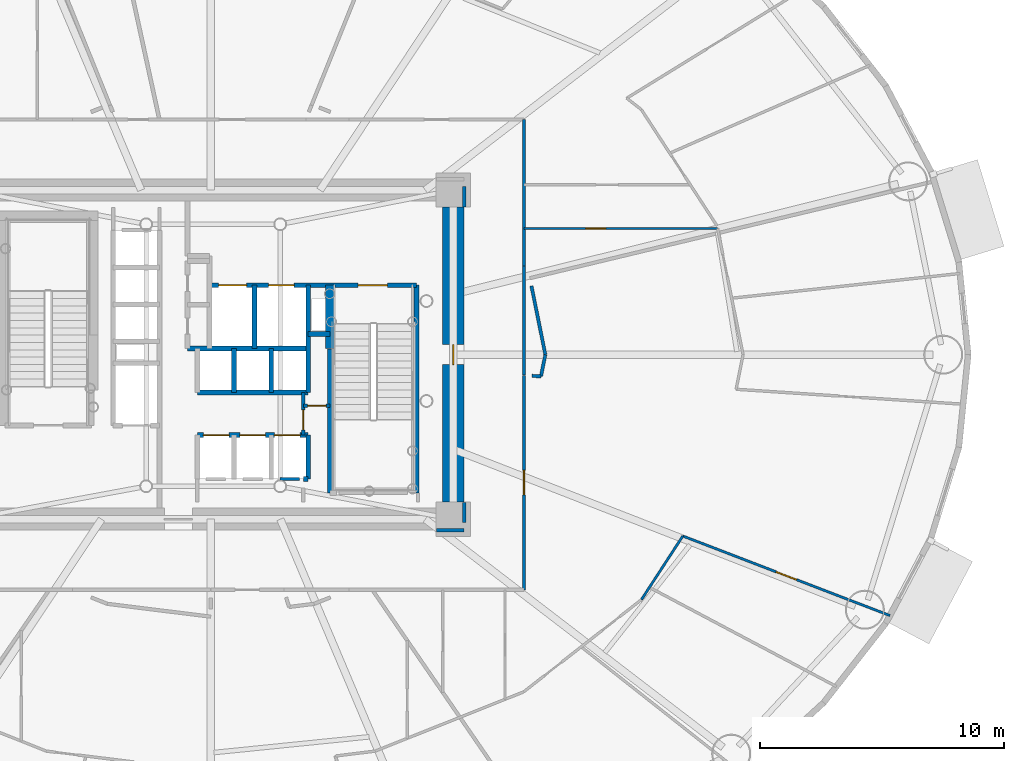
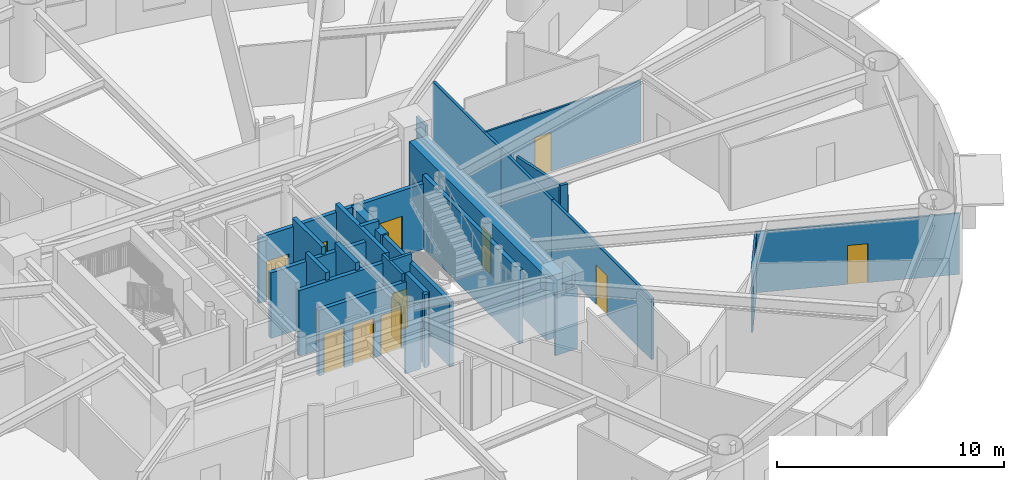
# One storey, part 11 of 21: 30 walls, 12 doors, 12 openings.
"""IFC4 building model written with IfcOpenShell, lengths in metres."""

import ifcopenshell
import ifcopenshell.guid

model = None  # the IFC model being written
_history = None  # IfcOwnerHistory: only IFC2X3 demands one
_inside = {}  # id of a spatial element -> (the spatial element, [elements in it])
_under = {}  # id of a project, library or spatial element -> (it, [spatial elements below it])
_declared = {}  # id of a project -> (the project, [libraries it declares])
_typed = {}  # id of a type object -> (the type object, [elements of that type])
_made_of = {}  # id of a material, layer set ... -> (it, [elements and type objects made of it])


def new_model(schema):
    """Start an empty IFC model of exactly this schema.

    Asked for "IFC4X3", IfcOpenShell would pick the latest addendum, in which some entities
    have other attributes; the version numbers below select the first issue.
    IFC2X3 requires an IfcOwnerHistory on every rooted entity: one is made here for all.
    """
    global model, _history
    if schema == "IFC4X3":
        model = ifcopenshell.file(schema_version=(4, 3, 0, 0))
    else:
        model = ifcopenshell.file(schema=schema)
    _inside.clear()
    _under.clear()
    _declared.clear()
    _typed.clear()
    _made_of.clear()
    _history = None
    if model.schema == "IFC2X3":
        org = make("IfcOrganization", Name="unknown")
        user = make(
            "IfcPersonAndOrganization",
            ThePerson=make("IfcPerson", FamilyName="unknown"),
            TheOrganization=org,
        )
        app = make(
            "IfcApplication",
            ApplicationDeveloper=org,
            Version="unknown",
            ApplicationFullName="unknown",
            ApplicationIdentifier="unknown",
        )
        _history = make(
            "IfcOwnerHistory",
            OwningUser=user,
            OwningApplication=app,
            ChangeAction="ADDED",
            CreationDate=0,
        )
    return model


def make(cls, **values):
    """One entity of the class cls with the attributes given. An attribute that is None is left unset."""
    return model.create_entity(
        cls, **{name: value for name, value in values.items() if value is not None}
    )


def rooted(cls, **values):
    """An entity with a GlobalId (a new one), such as an element, a storey or a relation."""
    return make(cls, GlobalId=ifcopenshell.guid.new(), OwnerHistory=_history, **values)


def si_unit(unit_type, name, prefix=None):
    """IfcSIUnit, for example si_unit("LENGTHUNIT", "METRE", prefix="MILLI")."""
    return make("IfcSIUnit", UnitType=unit_type, Prefix=prefix, Name=name)


def assignment(units):
    """IfcUnitAssignment: the units of a project."""
    return None if units is None else make("IfcUnitAssignment", Units=units)


def point(xyz):
    """IfcCartesianPoint."""
    return None if xyz is None else make("IfcCartesianPoint", Coordinates=xyz)


def direction(xyz):
    """IfcDirection."""
    return None if xyz is None else make("IfcDirection", DirectionRatios=xyz)


def frame(location, z_axis=None, x_axis=None):
    """IfcAxis2Placement3D, a coordinate frame: its origin and axes. An axis left out is left unset."""
    return make(
        "IfcAxis2Placement3D",
        Location=point(location),
        Axis=direction(z_axis),
        RefDirection=direction(x_axis),
    )


def frame_2d(location, x_axis=None):
    """IfcAxis2Placement2D, a coordinate frame in the plane: its origin and x axis."""
    return make(
        "IfcAxis2Placement2D", Location=point(location), RefDirection=direction(x_axis)
    )


def origin():
    """The frame at (0, 0, 0) with its axes left unset."""
    return frame((0.0, 0.0, 0.0))


def origin_2d():
    """The frame at (0, 0) in the plane with its x axis left unset."""
    return frame_2d((0.0, 0.0))


def place(relative_to, where):
    """IfcLocalPlacement: puts the frame where relative to a parent placement (None: the world)."""
    return make(
        "IfcLocalPlacement", PlacementRelTo=relative_to, RelativePlacement=where
    )


def context(
    kind, dimensions, precision=None, world=None, true_north=None, identifier=None
):
    """IfcGeometricRepresentationContext, for example the 3D "Model" context."""
    return make(
        "IfcGeometricRepresentationContext",
        ContextIdentifier=identifier,
        ContextType=kind,
        CoordinateSpaceDimension=dimensions,
        Precision=precision,
        WorldCoordinateSystem=world,
        TrueNorth=true_north,
    )


def subcontext(parent, identifier, kind, view, scale=None):
    """IfcGeometricRepresentationSubContext, for example "Body" below "Model"."""
    return make(
        "IfcGeometricRepresentationSubContext",
        ContextIdentifier=identifier,
        ContextType=kind,
        ParentContext=parent,
        TargetScale=scale,
        TargetView=view,
    )


def project(units=None, contexts=None):
    """IfcProject with its units and contexts."""
    return rooted(
        "IfcProject",
        Name="project",
        RepresentationContexts=contexts,
        UnitsInContext=assignment(units),
    )


def spatial(cls, under=None, at=None, **own):
    """A site, building, storey or space (cls), placed at a placement, below another one or the project."""
    s = rooted(cls, ObjectPlacement=at, **own)
    if under is not None:
        _under.setdefault(under.id(), (under, []))[1].append(s)
    return s


def profile(cls, at=None, kind="AREA", **sizes):
    """A parametric profile (cls). Its sizes go by their IFC names, for example OverallWidth=200.0."""
    return make(cls, ProfileType=kind, Position=at, **sizes)


def rectangle(**sizes):
    """IfcRectangleProfileDef."""
    return profile("IfcRectangleProfileDef", **sizes)


def extrude(swept, where, along, depth):
    """IfcExtrudedAreaSolid: the profile swept, set in the frame where, extruded along a direction by depth."""
    return make(
        "IfcExtrudedAreaSolid",
        SweptArea=swept,
        Position=where,
        ExtrudedDirection=direction(along),
        Depth=depth,
    )


def shape(context_of_items, identifier, shape_type, items):
    """IfcShapeRepresentation: the items that make up one representation, for example the "Body"."""
    return make(
        "IfcShapeRepresentation",
        ContextOfItems=context_of_items,
        RepresentationIdentifier=identifier,
        RepresentationType=shape_type,
        Items=items,
    )


def source(mapping_origin, context_of_items, identifier, shape_type, items):
    """IfcRepresentationMap: a shape defined once, which mapped items show again and again."""
    return make(
        "IfcRepresentationMap",
        MappingOrigin=mapping_origin,
        MappedRepresentation=shape(context_of_items, identifier, shape_type, items),
    )


def transform(
    local_origin,
    x_axis=None,
    y_axis=None,
    z_axis=None,
    scale=None,
    scale2=None,
    scale3=None,
    uniform=True,
):
    """IfcCartesianTransformationOperator3D, or its non-uniform kind. x_axis, y_axis, z_axis: its Axis1, 2, 3."""
    if uniform:
        return make(
            "IfcCartesianTransformationOperator3D",
            Axis1=direction(x_axis),
            Axis2=direction(y_axis),
            LocalOrigin=point(local_origin),
            Scale=scale,
            Axis3=direction(z_axis),
        )
    return make(
        "IfcCartesianTransformationOperator3DnonUniform",
        Axis1=direction(x_axis),
        Axis2=direction(y_axis),
        LocalOrigin=point(local_origin),
        Scale=scale,
        Axis3=direction(z_axis),
        Scale2=scale2,
        Scale3=scale3,
    )


def mapped(mapping_source, mapping_target):
    """IfcMappedItem: shows the shape of a source again, moved by a transform."""
    return make(
        "IfcMappedItem", MappingSource=mapping_source, MappingTarget=mapping_target
    )


def material(Name=None, Category=None):
    """IfcMaterial."""
    return make("IfcMaterial", Name=Name, Category=Category)


def layer(
    of_material, thickness, ventilated=None, Name=None, Category=None, Priority=None
):
    """IfcMaterialLayer: one layer of a wall or slab, of a material (None: an air gap)."""
    return make(
        "IfcMaterialLayer",
        Material=of_material,
        LayerThickness=thickness,
        IsVentilated=ventilated,
        Name=Name,
        Category=Category,
        Priority=Priority,
    )


def layer_set(layers, Name=None):
    """IfcMaterialLayerSet."""
    return make("IfcMaterialLayerSet", MaterialLayers=layers, LayerSetName=Name)


def made_of(thing, what):
    """Note that an element or type object is made of a material, layer set ...; save() writes the relation."""
    if what is not None:
        _made_of.setdefault(what.id(), (what, []))[1].append(thing)
    return thing


def type_object(cls, material=None, **own):
    """A type object (cls), such as IfcWallType, which elements share."""
    return made_of(rooted(cls, **own), material)


def element(
    cls,
    number,
    at=None,
    inside=None,
    cuts=None,
    type_object=None,
    material=None,
    context=None,
    identifier="Body",
    shape_type=None,
    held_by="IfcProductDefinitionShape",
    body=None,
    shapes=None,
    **own,
):
    """One element of the class cls, such as IfcWall. Its Tag is "e" and its number.

    at: its placement. inside: the storey or other place that contains it. cuts: it is an
    opening in that element (IfcRelVoidsElement). A single representation is given by context,
    identifier, shape_type and body (its items); several are given by shapes. held_by: the class
    of the entity that holds the representations. save() writes the other relations.
    """
    e = rooted(cls, Tag="e%d" % number, ObjectPlacement=at, **own)
    if body is not None:
        shapes = [shape(context, identifier, shape_type, body)]
    if shapes is not None:
        e.Representation = make(held_by, Representations=shapes)
    if inside is not None:
        _inside.setdefault(inside.id(), (inside, []))[1].append(e)
    if cuts is not None:
        rooted(
            "IfcRelVoidsElement", RelatingBuildingElement=cuts, RelatedOpeningElement=e
        )
    if type_object is not None:
        _typed.setdefault(type_object.id(), (type_object, []))[1].append(e)
    return made_of(e, material)


def fill(opening, filler):
    """IfcRelFillsElement: the door or window that sits in an opening."""
    return rooted(
        "IfcRelFillsElement",
        RelatingOpeningElement=opening,
        RelatedBuildingElement=filler,
    )


def aggregate(whole, parts):
    """IfcRelAggregates: a whole, such as a stair, and the parts it consists of."""
    return rooted("IfcRelAggregates", RelatingObject=whole, RelatedObjects=parts)


def save(model, path):
    """Write the relations noted so far, then the file.

    IfcRelAggregates (storeys below a building ...), IfcRelContainedInSpatialStructure (elements
    in a storey), IfcRelDefinesByType, IfcRelAssociatesMaterial and IfcRelDeclares: one each for
    every whole, place, type object, material and project.
    """
    for whole, parts in _under.values():
        aggregate(whole, parts)
    for where, things in _inside.values():
        rooted(
            "IfcRelContainedInSpatialStructure",
            RelatedElements=things,
            RelatingStructure=where,
        )
    for kind, things in _typed.values():
        rooted("IfcRelDefinesByType", RelatedObjects=things, RelatingType=kind)
    for what, things in _made_of.values():
        rooted("IfcRelAssociatesMaterial", RelatedObjects=things, RelatingMaterial=what)
    for by, libraries in _declared.values():
        rooted("IfcRelDeclares", RelatingContext=by, RelatedDefinitions=libraries)
    model.write(path)


model = new_model("IFC4")

# Units and contexts
model_context = context("Model", 3, precision=1e-05, world=origin(), true_north=direction((0.0, 1.0)))
body_context = subcontext(model_context, "Body", "Model", "MODEL_VIEW")
ifc_project = project(units=[si_unit("LENGTHUNIT", "METRE"), si_unit("AREAUNIT", "SQUARE_METRE"), si_unit("VOLUMEUNIT", "CUBIC_METRE"), si_unit("PLANEANGLEUNIT", "RADIAN"), si_unit("MASSUNIT", "GRAM", prefix="KILO")], contexts=[model_context])

# Site, building, storey
site_placement = place(None, origin())
site = spatial("IfcSite", under=ifc_project, at=site_placement, CompositionType="ELEMENT")
building_placement = place(site_placement, origin())
building = spatial("IfcBuilding", under=site, at=building_placement, Name="Linh Dai School and Residence Tower", CompositionType="ELEMENT")
storey_placement = place(building_placement, frame((0.0, 0.0, 78.60009765625)))
storey = spatial("IfcBuildingStorey", under=building, at=storey_placement, Name="L18", CompositionType="ELEMENT", Elevation=78.60009765625)

# Wall, opening, door
ifc_material_1 = material(Name="Autoclaved Aerated Concrete Blockwork", Category="masonry")
ifc_layer_1 = layer(ifc_material_1, 0.135009765625)
ifc_layer_set_1 = layer_set([ifc_layer_1], Name="Autoclaved Aerated Concrete Blockwork")
wall_type_1 = type_object("IfcWallType", Name="IW-CORR-135-EI90", PredefinedType="PARTITIONING", material=ifc_layer_set_1)
wall_1_placement = place(storey_placement, frame((39.800048828125, 23.699951171875, 0.0), z_axis=(0.0, 0.0, 1.0), x_axis=(0.0, 1.0, 0.0)))
wall_1 = element("IfcWall", 1, at=wall_1_placement, inside=storey, type_object=wall_type_1, Name="L18 Interior Partition Wall 062", PredefinedType="PARTITIONING", context=body_context, shape_type="SweptSolid", body=[
    extrude(rectangle(XDim=1.75, YDim=0.135009765625, at=frame_2d((0.875, 0.0))), origin(), (0.0, 0.0, 1.0), 3.949951171875),
])
opening_1_placement = place(wall_1_placement, frame((0.2099609375, 0.0, 0.0)))
opening_1 = element("IfcOpeningElement", 2, at=opening_1_placement, cuts=wall_1, Name="Opening D06", PredefinedType="OPENING", context=body_context, shape_type="SweptSolid", body=[
    extrude(rectangle(XDim=0.820068359375, YDim=2.10009765625, at=origin_2d()), frame((0.41015625, 0.07763671875, 1.050048828125), z_axis=(0.0, -1.0, 0.0), x_axis=(1.0, 0.0, 0.0)), (0.0, 0.0, 1.0), 0.155029296875),
])
ifc_material_2 = material(Name="Moisture-Resistant Timber Bathroom Door", Category="wood")
door_type_1 = type_object("IfcDoorType", Name="DR-WET-820x2100", OperationType="NOTDEFINED", PredefinedType="DOOR", material=ifc_material_2)
shared_shape_1 = source(origin(), body_context, "Body", "SweptSolid", [
    extrude(rectangle(XDim=0.820068359375, YDim=2.10009765625, at=origin_2d()), frame((0.41015625, 0.02490234375, 1.050048828125), z_axis=(0.0, -1.0, 0.0), x_axis=(1.0, 0.0, 0.0)), (0.0, 0.0, 1.0), 0.050048828125),
])
door_1_placement = place(opening_1_placement, origin())
door_1 = element("IfcDoor", 3, at=door_1_placement, inside=storey, type_object=door_type_1, Name="L18 SE Metering Closet Door", OperationType="SINGLE_SWING_RIGHT", OverallHeight=2.10009765625, OverallWidth=0.820068359375, PredefinedType="DOOR", context=body_context, shape_type="MappedRepresentation", body=[
    mapped(shared_shape_1, transform((0.0, 0.0, 0.0), x_axis=(1.0, 0.0, 0.0), y_axis=(0.0, 1.0, 0.0), z_axis=(0.0, 0.0, 1.0), scale=1.0)),
])
fill(opening_1, door_1)

wall_2_placement = place(storey_placement, frame((48.85009765625, 17.35009765625, 0.0), z_axis=(0.0, 0.0, 1.0), x_axis=(0.0, 1.0, 0.0)))
wall_2 = element("IfcWall", 4, at=wall_2_placement, inside=storey, type_object=wall_type_1, Name="L18 Interior Partition Wall 083", PredefinedType="PARTITIONING", context=body_context, shape_type="SweptSolid", body=[
    extrude(rectangle(XDim=8.8037109375, YDim=0.135009765625, at=frame_2d((4.40185546875, 0.0))), origin(), (0.0, 0.0, 1.0), 3.284912109375),
])
opening_2_placement = place(wall_2_placement, frame((3.90185546875, 0.0, 0.0)))
opening_2 = element("IfcOpeningElement", 5, at=opening_2_placement, cuts=wall_2, Name="Opening D03", PredefinedType="OPENING", context=body_context, shape_type="SweptSolid", body=[
    extrude(rectangle(XDim=1.0, YDim=2.14990234375, at=origin_2d()), frame((0.5, 0.07763671875, 1.074951171875), z_axis=(0.0, -1.0, 0.0), x_axis=(1.0, 0.0, 0.0)), (0.0, 0.0, 1.0), 0.155029296875),
])
ifc_material_3 = material(Name="Fire-Rated Solid Timber Entrance Door", Category="wood")
door_type_2 = type_object("IfcDoorType", Name="DR-FLAT-1000x2150-FD60S", OperationType="NOTDEFINED", PredefinedType="DOOR", material=ifc_material_3)
shared_shape_2 = source(origin(), body_context, "Body", "SweptSolid", [
    extrude(rectangle(XDim=1.0, YDim=2.14990234375, at=origin_2d()), frame((0.5, 0.02490234375, 1.074951171875), z_axis=(0.0, -1.0, 0.0), x_axis=(1.0, 0.0, 0.0)), (0.0, 0.0, 1.0), 0.050048828125),
])
door_2_placement = place(opening_2_placement, origin())
door_2 = element("IfcDoor", 6, at=door_2_placement, inside=storey, type_object=door_type_2, Name="L18 U1804 Apartment Entrance Door", OperationType="SINGLE_SWING_RIGHT", OverallHeight=2.14990234375, OverallWidth=1.0, PredefinedType="DOOR", context=body_context, shape_type="MappedRepresentation", body=[
    mapped(shared_shape_2, transform((0.0, 0.0, 0.0), x_axis=(1.0, 0.0, 0.0), y_axis=(0.0, 1.0, 0.0), z_axis=(0.0, 0.0, 1.0), scale=1.0)),
])
fill(opening_2, door_2)

# Walls
wall_3_placement = place(storey_placement, frame((48.85009765625, 30.638427734375, 0.0), z_axis=(0.0, 0.0, 1.0), x_axis=(0.0, 1.0, 0.0)))
element("IfcWall", 7, at=wall_3_placement, inside=storey, type_object=wall_type_1, Name="L18 Interior Partition Wall 084", PredefinedType="PARTITIONING", context=body_context, shape_type="SweptSolid", body=[
    extrude(rectangle(XDim=6.011474609375, YDim=0.135009765625, at=frame_2d((3.005859375, 0.0))), origin(), (0.0, 0.0, 1.0), 3.284912109375),
])
wall_4_placement = place(storey_placement, frame((39.639892578125, 21.89990234375, 0.0), z_axis=(0.0, 0.0, 1.0), x_axis=(-1.0, 0.0, 0.0)))
element("IfcWall", 8, at=wall_4_placement, inside=storey, type_object=wall_type_1, Name="L18 Interior Partition Wall 103", PredefinedType="PARTITIONING", context=body_context, shape_type="SweptSolid", body=[
    extrude(rectangle(XDim=0.7998046875, YDim=0.135009765625, at=frame_2d((0.39990234375, 0.0))), origin(), (0.0, 0.0, 1.0), 3.534912109375),
])
wall_5_placement = place(storey_placement, frame((48.85009765625, 30.62841796875, 0.0), z_axis=(0.0, 0.0, 1.0), x_axis=(0.0, -1.0, 0.0)))
element("IfcWall", 9, at=wall_5_placement, inside=storey, type_object=wall_type_1, Name="L18 Interior Partition Wall 112", PredefinedType="PARTITIONING", context=body_context, shape_type="SweptSolid", body=[
    extrude(rectangle(XDim=4.464599609375, YDim=0.135009765625, at=frame_2d((2.232421875, 0.0))), origin(), (0.0, 0.0, 1.0), 3.284912109375),
])
wall_6_placement = place(storey_placement, frame((45.260009765625, 19.800048828125, 0.0), z_axis=(0.0, 0.0, 1.0), x_axis=(1.0, 0.0, 0.0)))
element("IfcWall", 10, at=wall_6_placement, inside=storey, type_object=wall_type_1, Name="L18 Interior Partition Wall 121", PredefinedType="PARTITIONING", context=body_context, shape_type="SweptSolid", body=[
    extrude(rectangle(XDim=1.139892578125, YDim=0.135009765625, at=frame_2d((0.56982421875, 0.0))), origin(), (0.0, 0.0, 1.0), 3.284912109375),
])
for number, where, z_axis, x_axis, name in (
    (11, (46.39990234375, 20.107421875, 0.0), (0.0, 0.0, 1.0), (0.0, 1.0, 0.0), "L18 Interior Partition Wall 122"),
    (12, (46.39990234375, 33.06005859375, 0.0), (0.0, 0.0, 1.0), (0.0, 1.0, 0.0), "L18 Interior Partition Wall 123"),
):
    element("IfcWall", number, at=place(storey_placement, frame(where, z_axis=z_axis, x_axis=x_axis)), inside=storey, type_object=wall_type_1, Name=name, PredefinedType="PARTITIONING", context=body_context, shape_type="SweptSolid", body=[
        extrude(rectangle(XDim=0.83251953125, YDim=0.135009765625, at=frame_2d((0.416259765625, 0.0))), origin(), (0.0, 0.0, 1.0), 3.949951171875),
    ])
wall_7_placement = place(storey_placement, frame((49.177490234375, 26.13232421875, 0.0), z_axis=(0.0, 0.0, 1.0), x_axis=(0.997831511277, -0.065820020533, 0.0)))
element("IfcWall", 13, at=wall_7_placement, inside=storey, type_object=wall_type_1, Name="L18 Interior Partition Wall 135", PredefinedType="PARTITIONING", context=body_context, shape_type="SweptSolid", body=[
    extrude(rectangle(XDim=0.370849609375, YDim=0.135009765625, at=frame_2d((0.185546875, 0.0))), origin(), (0.0, 0.0, 1.0), 3.949951171875),
])
wall_8_placement = place(storey_placement, frame((49.547607421875, 26.10791015625, 0.0), z_axis=(0.0, 0.0, 1.0), x_axis=(0.198230662087, 0.980155398194, 0.0)))
element("IfcWall", 14, at=wall_8_placement, inside=storey, type_object=wall_type_1, Name="L18 Interior Partition Wall 136", PredefinedType="PARTITIONING", context=body_context, shape_type="SweptSolid", body=[
    extrude(rectangle(XDim=0.91015625, YDim=0.135009765625, at=frame_2d((0.455078125, 0.0))), origin(), (0.0, 0.0, 1.0), 3.284912109375),
])
wall_9_placement = place(storey_placement, frame((49.72802734375, 27.0, 0.0), z_axis=(0.0, 0.0, 1.0), x_axis=(-0.19828576171, 0.980144253007, 0.0)))
element("IfcWall", 15, at=wall_9_placement, inside=storey, type_object=wall_type_1, Name="L18 Interior Partition Wall 137", PredefinedType="PARTITIONING", context=body_context, shape_type="SweptSolid", body=[
    extrude(rectangle(XDim=2.87744140625, YDim=0.135009765625, at=frame_2d((1.438720703125, 0.0))), origin(), (0.0, 0.0, 1.0), 3.284912109375),
])

# Wall, opening, door
ifc_layer_2 = layer(ifc_material_1, 0.14990234375)
ifc_layer_set_2 = layer_set([ifc_layer_2], Name="Autoclaved Aerated Concrete Blockwork")
wall_type_2 = type_object("IfcWallType", Name="IW-SCH-150-EI60", PredefinedType="PARTITIONING", material=ifc_layer_set_2)
wall_10_placement = place(storey_placement, frame((39.800048828125, 24.89990234375, 0.0), z_axis=(0.0, 0.0, 1.0), x_axis=(1.0, 0.0, 0.0)))
wall_10 = element("IfcWall", 16, at=wall_10_placement, inside=storey, type_object=wall_type_2, Name="L18 Interior Partition Wall 063", PredefinedType="PARTITIONING", context=body_context, shape_type="SweptSolid", body=[
    extrude(rectangle(XDim=1.099853515625, YDim=0.14990234375, at=frame_2d((0.5498046875, 0.0))), origin(), (0.0, 0.0, 1.0), 3.949951171875),
])
opening_3_placement = place(wall_10_placement, frame((0.169921875, 0.0, 0.0)))
opening_3 = element("IfcOpeningElement", 17, at=opening_3_placement, cuts=wall_10, Name="Opening D08", PredefinedType="OPENING", context=body_context, shape_type="SweptSolid", body=[
    extrude(rectangle(XDim=0.760009765625, YDim=2.10009765625, at=origin_2d()), frame((0.3798828125, 0.0849609375, 1.050048828125), z_axis=(0.0, -1.0, 0.0), x_axis=(1.0, 0.0, 0.0)), (0.0, 0.0, 1.0), 0.169921875),
])
ifc_material_4 = material(Name="Engineered Timber Closet and Study Door", Category="wood")
door_type_3 = type_object("IfcDoorType", Name="DR-CMP-760x2100", OperationType="NOTDEFINED", PredefinedType="DOOR", material=ifc_material_4)
shared_shape_3 = source(origin(), body_context, "Body", "SweptSolid", [
    extrude(rectangle(XDim=0.760009765625, YDim=2.10009765625, at=origin_2d()), frame((0.3798828125, 0.02490234375, 1.050048828125), z_axis=(0.0, -1.0, 0.0), x_axis=(1.0, 0.0, 0.0)), (0.0, 0.0, 1.0), 0.050048828125),
])
door_3_placement = place(opening_3_placement, origin())
door_3 = element("IfcDoor", 18, at=door_3_placement, inside=storey, type_object=door_type_3, Name="L18 NE Cleaners Store Door", OperationType="SINGLE_SWING_LEFT", OverallHeight=2.10009765625, OverallWidth=0.760009765625, PredefinedType="DOOR", context=body_context, shape_type="MappedRepresentation", body=[
    mapped(shared_shape_3, transform((0.0, 0.0, 0.0), x_axis=(1.0, 0.0, 0.0), y_axis=(0.0, 1.0, 0.0), z_axis=(0.0, 0.0, 1.0), scale=1.0)),
])
fill(opening_3, door_3)

# Wall
ifc_material_5 = material(Name="Concrete B45 (C35/45)", Category="concrete")
ifc_layer_3 = layer(ifc_material_5, 0.199951171875)
ifc_layer_set_3 = layer_set([ifc_layer_3], Name="Concrete B45 (C35/45)")
wall_type_3 = type_object("IfcWallType", Name="IW-SHAFT-200-EI120", PredefinedType="PARTITIONING", material=ifc_layer_set_3)
wall_11_placement = place(storey_placement, frame((35.050048828125, 27.25, 0.0), z_axis=(0.0, 0.0, 1.0), x_axis=(1.0, 0.0, 0.0)))
element("IfcWall", 19, at=wall_11_placement, inside=storey, type_object=wall_type_3, Name="L18 Interior Partition Wall 043", PredefinedType="PARTITIONING", context=body_context, shape_type="SweptSolid", body=[
    extrude(rectangle(XDim=4.949951171875, YDim=0.199951171875, at=frame_2d((2.47509765625, 0.0))), origin(), (0.0, 0.0, 1.0), 3.534912109375),
])

# Wall, openings, doors
wall_12_placement = place(storey_placement, frame((35.449951171875, 23.699951171875, 0.0), z_axis=(0.0, 0.0, 1.0), x_axis=(1.0, 0.0, 0.0)))
wall_12 = element("IfcWall", 20, at=wall_12_placement, inside=storey, type_object=wall_type_3, Name="L18 Interior Partition Wall 049", PredefinedType="PARTITIONING", context=body_context, shape_type="SweptSolid", body=[
    extrude(rectangle(XDim=4.550048828125, YDim=0.199951171875, at=frame_2d((2.27490234375, 0.0))), origin(), (0.0, 0.0, 1.0), 3.534912109375),
])
opening_4_placement = place(wall_12_placement, frame((0.25, 0.0, 0.0)))
opening_4 = element("IfcOpeningElement", 21, at=opening_4_placement, cuts=wall_12, Name="Opening LD-PL1", PredefinedType="OPENING", context=body_context, shape_type="SweptSolid", body=[
    extrude(rectangle(XDim=1.050048828125, YDim=2.14990234375, at=origin_2d()), frame((0.52490234375, 0.10986328125, 1.074951171875), z_axis=(0.0, -1.0, 0.0), x_axis=(1.0, 0.0, 0.0)), (0.0, 0.0, 1.0), 0.219970703125),
])
opening_5_placement = place(wall_12_placement, frame((1.7451171875, 0.0, 0.0)))
opening_5 = element("IfcOpeningElement", 22, at=opening_5_placement, cuts=wall_12, Name="Opening LD-PL2", PredefinedType="OPENING", context=body_context, shape_type="SweptSolid", body=[
    extrude(rectangle(XDim=1.050048828125, YDim=2.14990234375, at=origin_2d()), frame((0.52490234375, 0.10986328125, 1.074951171875), z_axis=(0.0, -1.0, 0.0), x_axis=(1.0, 0.0, 0.0)), (0.0, 0.0, 1.0), 0.219970703125),
])
opening_6_placement = place(wall_12_placement, frame((3.1650390625, 0.0, 0.0)))
opening_6 = element("IfcOpeningElement", 23, at=opening_6_placement, cuts=wall_12, Name="Opening LD-PL3", PredefinedType="OPENING", context=body_context, shape_type="SweptSolid", body=[
    extrude(rectangle(XDim=1.050048828125, YDim=2.14990234375, at=origin_2d()), frame((0.52490234375, 0.10986328125, 1.074951171875), z_axis=(0.0, -1.0, 0.0), x_axis=(1.0, 0.0, 0.0)), (0.0, 0.0, 1.0), 0.219970703125),
])
ifc_material_6 = material(Name="Brushed Stainless Steel Lift Landing Door", Category="steel")
door_type_4 = type_object("IfcDoorType", Name="DR-LD-PASS-1050x2150", OperationType="DOUBLE_DOOR_SLIDING", PredefinedType="USERDEFINED", material=ifc_material_6)
shared_shape_4 = source(origin(), body_context, "Body", "SweptSolid", [
    extrude(rectangle(XDim=1.050048828125, YDim=2.14990234375, at=origin_2d()), frame((0.52490234375, 0.02490234375, 1.074951171875), z_axis=(0.0, -1.0, 0.0), x_axis=(1.0, 0.0, 0.0)), (0.0, 0.0, 1.0), 0.050048828125),
])
door_4_placement = place(opening_4_placement, origin())
door_4 = element("IfcDoor", 24, at=door_4_placement, inside=storey, type_object=door_type_4, Name="L18 Lift PL1 Sliding Landing Door", ObjectType="LANDING DOOR", OperationType="DOUBLE_DOOR_SLIDING", OverallHeight=2.14990234375, OverallWidth=1.050048828125, PredefinedType="USERDEFINED", context=body_context, shape_type="MappedRepresentation", body=[
    mapped(shared_shape_4, transform((0.0, 0.0, 0.0), x_axis=(1.0, 0.0, 0.0), y_axis=(0.0, 1.0, 0.0), z_axis=(0.0, 0.0, 1.0), scale=1.0)),
])
fill(opening_4, door_4)
door_5_placement = place(opening_5_placement, origin())
door_5 = element("IfcDoor", 25, at=door_5_placement, inside=storey, type_object=door_type_4, Name="L18 Lift PL2 Sliding Landing Door", ObjectType="LANDING DOOR", OperationType="DOUBLE_DOOR_SLIDING", OverallHeight=2.14990234375, OverallWidth=1.050048828125, PredefinedType="USERDEFINED", context=body_context, shape_type="MappedRepresentation", body=[
    mapped(shared_shape_4, transform((0.0, 0.0, 0.0), x_axis=(1.0, 0.0, 0.0), y_axis=(0.0, 1.0, 0.0), z_axis=(0.0, 0.0, 1.0), scale=1.0)),
])
fill(opening_5, door_5)
door_6_placement = place(opening_6_placement, origin())
door_6 = element("IfcDoor", 26, at=door_6_placement, inside=storey, type_object=door_type_4, Name="L18 Lift PL3 Sliding Landing Door", ObjectType="LANDING DOOR", OperationType="DOUBLE_DOOR_SLIDING", OverallHeight=2.14990234375, OverallWidth=1.050048828125, PredefinedType="USERDEFINED", context=body_context, shape_type="MappedRepresentation", body=[
    mapped(shared_shape_4, transform((0.0, 0.0, 0.0), x_axis=(1.0, 0.0, 0.0), y_axis=(0.0, 1.0, 0.0), z_axis=(0.0, 0.0, 1.0), scale=1.0)),
])
fill(opening_6, door_6)

# Wall
wall_13_placement = place(storey_placement, frame((35.449951171875, 25.449951171875, 0.0), z_axis=(0.0, 0.0, 1.0), x_axis=(1.0, 0.0, 0.0)))
element("IfcWall", 27, at=wall_13_placement, inside=storey, type_object=wall_type_3, Name="L18 Interior Partition Wall 051", PredefinedType="PARTITIONING", context=body_context, shape_type="SweptSolid", body=[
    extrude(rectangle(XDim=4.550048828125, YDim=0.199951171875, at=frame_2d((2.27490234375, 0.0))), origin(), (0.0, 0.0, 1.0), 3.534912109375),
])

# Wall, openings, doors
wall_14_placement = place(storey_placement, frame((35.949951171875, 29.85009765625, 0.0), z_axis=(0.0, 0.0, 1.0), x_axis=(1.0, 0.0, 0.0)))
wall_14 = element("IfcWall", 28, at=wall_14_placement, inside=storey, type_object=wall_type_3, Name="L18 Interior Partition Wall 053", PredefinedType="PARTITIONING", context=body_context, shape_type="SweptSolid", body=[
    extrude(rectangle(XDim=8.489990234375, YDim=0.199951171875, at=frame_2d((4.2451171875, 0.0))), origin(), (0.0, 0.0, 1.0), 3.534912109375),
])
opening_7_placement = place(wall_14_placement, frame((6.10009765625, 0.0, 0.0)))
opening_7 = element("IfcOpeningElement", 29, at=opening_7_placement, cuts=wall_14, Name="Opening D01", PredefinedType="OPENING", context=body_context, shape_type="SweptSolid", body=[
    extrude(rectangle(XDim=1.199951171875, YDim=2.14990234375, at=origin_2d()), frame((0.60009765625, 0.10986328125, 1.074951171875), z_axis=(0.0, -1.0, 0.0), x_axis=(1.0, 0.0, 0.0)), (0.0, 0.0, 1.0), 0.219970703125),
])
opening_8_placement = place(wall_14_placement, frame((0.3701171875, 0.0, 0.0)))
opening_8 = element("IfcOpeningElement", 30, at=opening_8_placement, cuts=wall_14, Name="Opening LD-FF1", PredefinedType="OPENING", context=body_context, shape_type="SweptSolid", body=[
    extrude(rectangle(XDim=1.14990234375, YDim=2.14990234375, at=origin_2d()), frame((0.574951171875, 0.10986328125, 1.074951171875), z_axis=(0.0, -1.0, 0.0), x_axis=(1.0, 0.0, 0.0)), (0.0, 0.0, 1.0), 0.219970703125),
])
opening_9_placement = place(wall_14_placement, frame((2.425048828125, 0.0, 0.0)))
opening_9 = element("IfcOpeningElement", 31, at=opening_9_placement, cuts=wall_14, Name="Opening LD-SV1", PredefinedType="OPENING", context=body_context, shape_type="SweptSolid", body=[
    extrude(rectangle(XDim=1.050048828125, YDim=2.14990234375, at=origin_2d()), frame((0.52490234375, 0.10986328125, 1.074951171875), z_axis=(0.0, -1.0, 0.0), x_axis=(1.0, 0.0, 0.0)), (0.0, 0.0, 1.0), 0.219970703125),
])
ifc_material_7 = material(Name="Fire-Rated Steel Door Leaf", Category="steel")
door_type_5 = type_object("IfcDoorType", Name="DR-STAIR-1200x2150-FD90S", OperationType="NOTDEFINED", PredefinedType="DOOR", material=ifc_material_7)
shared_shape_5 = source(origin(), body_context, "Body", "SweptSolid", [
    extrude(rectangle(XDim=1.199951171875, YDim=2.14990234375, at=origin_2d()), frame((0.60009765625, 0.02490234375, 1.074951171875), z_axis=(0.0, -1.0, 0.0), x_axis=(1.0, 0.0, 0.0)), (0.0, 0.0, 1.0), 0.050048828125),
])
door_7_placement = place(opening_7_placement, origin())
door_7 = element("IfcDoor", 32, at=door_7_placement, inside=storey, type_object=door_type_5, Name="L18 Core Smokeproof Exit Stair ST2 Door", OperationType="SINGLE_SWING_RIGHT", OverallHeight=2.14990234375, OverallWidth=1.199951171875, PredefinedType="DOOR", context=body_context, shape_type="MappedRepresentation", body=[
    mapped(shared_shape_5, transform((0.0, 0.0, 0.0), x_axis=(1.0, 0.0, 0.0), y_axis=(0.0, 1.0, 0.0), z_axis=(0.0, 0.0, 1.0), scale=1.0)),
])
fill(opening_7, door_7)
ifc_material_8 = material(Name="Fire-Rated Stainless Steel Firefighting Lift Door", Category="steel")
door_type_6 = type_object("IfcDoorType", Name="DR-LD-FF-1150x2150-FD120", OperationType="DOUBLE_DOOR_SLIDING", PredefinedType="USERDEFINED", material=ifc_material_8)
shared_shape_6 = source(origin(), body_context, "Body", "SweptSolid", [
    extrude(rectangle(XDim=1.14990234375, YDim=2.14990234375, at=origin_2d()), frame((0.574951171875, 0.02490234375, 1.074951171875), z_axis=(0.0, -1.0, 0.0), x_axis=(1.0, 0.0, 0.0)), (0.0, 0.0, 1.0), 0.050048828125),
])
door_8_placement = place(opening_8_placement, origin())
door_8 = element("IfcDoor", 33, at=door_8_placement, inside=storey, type_object=door_type_6, Name="L18 Lift FF1 Sliding Landing Door", ObjectType="LANDING DOOR", OperationType="DOUBLE_DOOR_SLIDING", OverallHeight=2.14990234375, OverallWidth=1.14990234375, PredefinedType="USERDEFINED", context=body_context, shape_type="MappedRepresentation", body=[
    mapped(shared_shape_6, transform((0.0, 0.0, 0.0), x_axis=(1.0, 0.0, 0.0), y_axis=(0.0, 1.0, 0.0), z_axis=(0.0, 0.0, 1.0), scale=1.0)),
])
fill(opening_8, door_8)
door_9_placement = place(opening_9_placement, origin())
door_9 = element("IfcDoor", 34, at=door_9_placement, inside=storey, type_object=door_type_4, Name="L18 Lift SV1 Sliding Landing Door", ObjectType="LANDING DOOR", OperationType="DOUBLE_DOOR_SLIDING", OverallHeight=2.14990234375, OverallWidth=1.050048828125, PredefinedType="USERDEFINED", context=body_context, shape_type="MappedRepresentation", body=[
    mapped(shared_shape_4, transform((0.0, 0.0, 0.0), x_axis=(1.0, 0.0, 0.0), y_axis=(0.0, 1.0, 0.0), z_axis=(0.0, 0.0, 1.0), scale=1.0)),
])
fill(opening_9, door_9)

# Walls
wall_15_placement = place(storey_placement, frame((36.9599609375, 25.449951171875, 0.0), z_axis=(0.0, 0.0, 1.0), x_axis=(0.0, 1.0, 0.0)))
element("IfcWall", 35, at=wall_15_placement, inside=storey, type_object=wall_type_3, Name="L18 Interior Partition Wall 057", PredefinedType="PARTITIONING", context=body_context, shape_type="SweptSolid", body=[
    extrude(rectangle(XDim=1.800048828125, YDim=0.199951171875, at=frame_2d((0.89990234375, 0.0))), origin(), (0.0, 0.0, 1.0), 3.949951171875),
])
wall_16_placement = place(storey_placement, frame((37.800048828125, 27.25, 0.0), z_axis=(0.0, 0.0, 1.0), x_axis=(0.0, 1.0, 0.0)))
element("IfcWall", 36, at=wall_16_placement, inside=storey, type_object=wall_type_3, Name="L18 Interior Partition Wall 058", PredefinedType="PARTITIONING", context=body_context, shape_type="SweptSolid", body=[
    extrude(rectangle(XDim=2.60009765625, YDim=0.199951171875, at=frame_2d((1.300048828125, 0.0))), origin(), (0.0, 0.0, 1.0), 3.949951171875),
])
wall_17_placement = place(storey_placement, frame((38.47998046875, 25.449951171875, 0.0), z_axis=(0.0, 0.0, 1.0), x_axis=(0.0, 1.0, 0.0)))
element("IfcWall", 37, at=wall_17_placement, inside=storey, type_object=wall_type_3, Name="L18 Interior Partition Wall 060", PredefinedType="PARTITIONING", context=body_context, shape_type="SweptSolid", body=[
    extrude(rectangle(XDim=1.800048828125, YDim=0.199951171875, at=frame_2d((0.89990234375, 0.0))), origin(), (0.0, 0.0, 1.0), 3.949951171875),
])
wall_18_placement = place(storey_placement, frame((39.800048828125, 21.89990234375, 0.0), z_axis=(0.0, 0.0, 1.0), x_axis=(1.0, 0.0, 0.0)))
element("IfcWall", 38, at=wall_18_placement, inside=storey, type_object=wall_type_3, Name="L18 Interior Partition Wall 061", PredefinedType="PARTITIONING", context=body_context, shape_type="SweptSolid", body=[
    extrude(rectangle(XDim=0.199951171875, YDim=0.199951171875, at=frame_2d((0.10009765625, 0.0))), origin(), (0.0, 0.0, 1.0), 3.949951171875),
])
wall_19_placement = place(storey_placement, frame((40.0, 21.89990234375, 0.0), z_axis=(0.0, 0.0, 1.0), x_axis=(0.0, 1.0, 0.0)))
element("IfcWall", 39, at=wall_19_placement, inside=storey, type_object=wall_type_3, Name="L18 Interior Partition Wall 064", PredefinedType="PARTITIONING", context=body_context, shape_type="SweptSolid", body=[
    extrude(rectangle(XDim=1.800048828125, YDim=0.199951171875, at=frame_2d((0.89990234375, 0.0))), origin(), (0.0, 0.0, 1.0), 3.949951171875),
])
wall_20_placement = place(storey_placement, frame((40.0, 25.449951171875, 0.0), z_axis=(0.0, 0.0, 1.0), x_axis=(0.0, 1.0, 0.0)))
element("IfcWall", 40, at=wall_20_placement, inside=storey, type_object=wall_type_3, Name="L18 Interior Partition Wall 065", PredefinedType="PARTITIONING", context=body_context, shape_type="SweptSolid", body=[
    extrude(rectangle(XDim=4.400146484375, YDim=0.199951171875, at=frame_2d((2.2001953125, 0.0))), origin(), (0.0, 0.0, 1.0), 3.949951171875),
])
wall_21_placement = place(storey_placement, frame((40.0, 27.85009765625, 0.0), z_axis=(0.0, 0.0, 1.0), x_axis=(1.0, 0.0, 0.0)))
element("IfcWall", 41, at=wall_21_placement, inside=storey, type_object=wall_type_3, Name="L18 Interior Partition Wall 066", PredefinedType="PARTITIONING", context=body_context, shape_type="SweptSolid", body=[
    extrude(rectangle(XDim=0.89990234375, YDim=0.199951171875, at=frame_2d((0.449951171875, 0.0))), origin(), (0.0, 0.0, 1.0), 3.949951171875),
])
wall_22_placement = place(storey_placement, frame((40.89990234375, 21.330078125, 0.0), z_axis=(0.0, 0.0, 1.0), x_axis=(0.0, 1.0, 0.0)))
element("IfcWall", 42, at=wall_22_placement, inside=storey, type_object=wall_type_3, Name="L18 Interior Partition Wall 068", PredefinedType="PARTITIONING", context=body_context, shape_type="SweptSolid", body=[
    extrude(rectangle(XDim=5.909912109375, YDim=0.199951171875, at=frame_2d((2.955078125, 0.0))), origin(), (0.0, 0.0, 1.0), 3.48486328125),
])
wall_23_placement = place(storey_placement, frame((44.43994140625, 21.330078125, 0.0), z_axis=(0.0, 0.0, 1.0), x_axis=(0.0, 1.0, 0.0)))
element("IfcWall", 43, at=wall_23_placement, inside=storey, type_object=wall_type_3, Name="L18 Interior Partition Wall 078", PredefinedType="PARTITIONING", context=body_context, shape_type="SweptSolid", body=[
    extrude(rectangle(XDim=8.52001953125, YDim=0.199951171875, at=frame_2d((4.260009765625, 0.0))), origin(), (0.0, 0.0, 1.0), 3.949951171875),
])

# Wall, opening, door
ifc_material_9 = material(Name="Gypsum Plasterboard Acoustic Stud Partition", Category="masonry")
ifc_layer_4 = layer(ifc_material_9, 0.10009765625)
ifc_layer_set_4 = layer_set([ifc_layer_4], Name="Gypsum Plasterboard Acoustic Stud Partition")
wall_type_4 = type_object("IfcWallType", Name="IW-UNIT-100", PredefinedType="PARTITIONING", material=ifc_layer_set_4)
wall_24_placement = place(storey_placement, frame((48.85009765625, 32.177490234375, 0.0), z_axis=(0.0, 0.0, 1.0), x_axis=(1.0, 0.0, 0.0)))
wall_24 = element("IfcWall", 44, at=wall_24_placement, inside=storey, type_object=wall_type_4, Name="L18 Interior Partition Wall 085", PredefinedType="PARTITIONING", context=body_context, shape_type="SweptSolid", body=[
    extrude(rectangle(XDim=7.942626953125, YDim=0.10009765625, at=frame_2d((3.97119140625, 0.0))), origin(), (0.0, 0.0, 1.0), 3.284912109375),
])
opening_10_placement = place(wall_24_placement, frame((2.52880859375, 0.0, 0.0)))
opening_10 = element("IfcOpeningElement", 45, at=opening_10_placement, cuts=wall_24, Name="Opening D06", PredefinedType="OPENING", context=body_context, shape_type="SweptSolid", body=[
    extrude(rectangle(XDim=0.820068359375, YDim=2.10009765625, at=origin_2d()), frame((0.41015625, 0.06005859375, 1.050048828125), z_axis=(0.0, -1.0, 0.0), x_axis=(1.0, 0.0, 0.0)), (0.0, 0.0, 1.0), 0.1201171875),
])
door_10_placement = place(opening_10_placement, origin())
door_10 = element("IfcDoor", 46, at=door_10_placement, inside=storey, type_object=door_type_1, Name="L18 Apartment U1805 Bathroom 1 Door", OperationType="SINGLE_SWING_LEFT", OverallHeight=2.10009765625, OverallWidth=0.820068359375, PredefinedType="DOOR", context=body_context, shape_type="MappedRepresentation", body=[
    mapped(shared_shape_1, transform((0.0, 0.0, 0.0), x_axis=(1.0, 0.0, 0.0), y_axis=(0.0, 1.0, 0.0), z_axis=(0.0, 0.0, 1.0), scale=1.0)),
])
fill(opening_10, door_10)

# Wall
wall_25_placement = place(storey_placement, frame((53.6689453125, 16.9482421875, 0.0), z_axis=(0.0, 0.0, 1.0), x_axis=(0.54539036232, 0.838182171541, 0.0)))
element("IfcWall", 47, at=wall_25_placement, inside=storey, type_object=wall_type_4, Name="L18 Interior Partition Wall 091", PredefinedType="PARTITIONING", context=body_context, shape_type="SweptSolid", body=[
    extrude(rectangle(XDim=3.115966796875, YDim=0.10009765625, at=frame_2d((1.55810546875, 0.0))), origin(), (0.0, 0.0, 1.0), 3.284912109375),
])

# Wall, opening, door
wall_26_placement = place(storey_placement, frame((55.3681640625, 19.559814453125, 0.0), z_axis=(0.0, 0.0, 1.0), x_axis=(0.933496170306, -0.358587367351, 0.0)))
wall_26 = element("IfcWall", 48, at=wall_26_placement, inside=storey, type_object=wall_type_4, Name="L18 Interior Partition Wall 095", PredefinedType="PARTITIONING", context=body_context, shape_type="SweptSolid", body=[
    extrude(rectangle(XDim=9.10546875, YDim=0.10009765625, at=frame_2d((4.552734375, 0.0))), origin(), (0.0, 0.0, 1.0), 3.284912109375),
])
opening_11_placement = place(wall_26_placement, frame((4.102783203125, 0.0, 0.0)))
opening_11 = element("IfcOpeningElement", 49, at=opening_11_placement, cuts=wall_26, Name="Opening D05", PredefinedType="OPENING", context=body_context, shape_type="SweptSolid", body=[
    extrude(rectangle(XDim=0.89990234375, YDim=2.10009765625, at=origin_2d()), frame((0.449951171875, 0.06005859375, 1.050048828125), z_axis=(0.0, -1.0, 0.0), x_axis=(1.0, 0.0, 0.0)), (0.0, 0.0, 1.0), 0.1201171875),
])
ifc_material_10 = material(Name="Engineered Timber Internal Door", Category="wood")
door_type_7 = type_object("IfcDoorType", Name="DR-INT-900x2100", OperationType="NOTDEFINED", PredefinedType="DOOR", material=ifc_material_10)
shared_shape_7 = source(origin(), body_context, "Body", "SweptSolid", [
    extrude(rectangle(XDim=0.89990234375, YDim=2.10009765625, at=origin_2d()), frame((0.449951171875, 0.02490234375, 1.050048828125), z_axis=(0.0, -1.0, 0.0), x_axis=(1.0, 0.0, 0.0)), (0.0, 0.0, 1.0), 0.050048828125),
])
door_11_placement = place(opening_11_placement, origin())
door_11 = element("IfcDoor", 50, at=door_11_placement, inside=storey, type_object=door_type_7, Name="L18 Apartment U1804 Study Door", OperationType="SINGLE_SWING_LEFT", OverallHeight=2.10009765625, OverallWidth=0.89990234375, PredefinedType="DOOR", context=body_context, shape_type="MappedRepresentation", body=[
    mapped(shared_shape_7, transform((0.0, 0.0, 0.0), x_axis=(1.0, 0.0, 0.0), y_axis=(0.0, 1.0, 0.0), z_axis=(0.0, 0.0, 1.0), scale=1.0)),
])
fill(opening_11, door_11)

# Wall
ifc_layer_5 = layer(ifc_material_5, 0.39990234375)
ifc_layer_set_5 = layer_set([ifc_layer_5], Name="Concrete B45 (C35/45)")
wall_type_5 = type_object("IfcWallType", Name="WL-CORE400", PredefinedType="SHEAR", material=ifc_layer_set_5)
wall_27_placement = place(storey_placement, frame((40.89990234375, 27.25, 0.0), z_axis=(0.0, 0.0, 1.0), x_axis=(0.0, 1.0, 0.0)))
element("IfcWall", 51, at=wall_27_placement, inside=storey, type_object=wall_type_5, Name="L18 Internal Core Shear Wall IE", PredefinedType="SHEAR", context=body_context, shape_type="SweptSolid", body=[
    extrude(rectangle(XDim=2.60009765625, YDim=0.39990234375, at=frame_2d((1.300048828125, 0.0))), origin(), (0.0, 0.0, 1.0), 3.5498046875),
])

# Wall, opening, door
ifc_material_11 = material(Name="Concrete B60 (C50/60)", Category="concrete")
ifc_layer_6 = layer(ifc_material_11, 0.89990234375)
ifc_layer_set_6 = layer_set([ifc_layer_6], Name="Concrete B60 (C50/60)")
wall_type_6 = type_object("IfcWallType", Name="WL-CORE900", PredefinedType="SHEAR", material=ifc_layer_set_6)
wall_28_placement = place(storey_placement, frame((45.949951171875, 33.050048828125, 0.0), z_axis=(0.0, 0.0, 1.0), x_axis=(0.0, -1.0, 0.0)))
wall_28 = element("IfcWall", 52, at=wall_28_placement, inside=storey, type_object=wall_type_6, Name="L18 Central Core Shear Wall E", PredefinedType="SHEAR", context=body_context, shape_type="SweptSolid", body=[
    extrude(rectangle(XDim=12.10009765625, YDim=0.89990234375, at=frame_2d((6.050048828125, 0.0))), origin(), (0.0, 0.0, 1.0), 3.39990234375),
])
opening_12_placement = place(wall_28_placement, frame((5.639892578125, 0.0, 0.0)))
opening_12 = element("IfcOpeningElement", 53, at=opening_12_placement, cuts=wall_28, Name="Opening D06", PredefinedType="OPENING", context=body_context, shape_type="SweptSolid", body=[
    extrude(rectangle(XDim=0.820068359375, YDim=2.10009765625, at=origin_2d()), frame((0.41015625, 0.4599609375, 1.050048828125), z_axis=(0.0, -1.0, 0.0), x_axis=(1.0, 0.0, 0.0)), (0.0, 0.0, 1.0), 0.919921875),
])
door_12_placement = place(opening_12_placement, origin())
door_12 = element("IfcDoor", 54, at=door_12_placement, inside=storey, type_object=door_type_1, Name="L18 Firefighting Lobby Door", OperationType="SINGLE_SWING_LEFT", OverallHeight=2.10009765625, OverallWidth=0.820068359375, PredefinedType="DOOR", context=body_context, shape_type="MappedRepresentation", body=[
    mapped(shared_shape_1, transform((0.0, 0.0, 0.0), x_axis=(1.0, 0.0, 0.0), y_axis=(0.0, 1.0, 0.0), z_axis=(0.0, 0.0, 1.0), scale=1.0)),
])
fill(opening_12, door_12)

save(model, "model.ifc")
